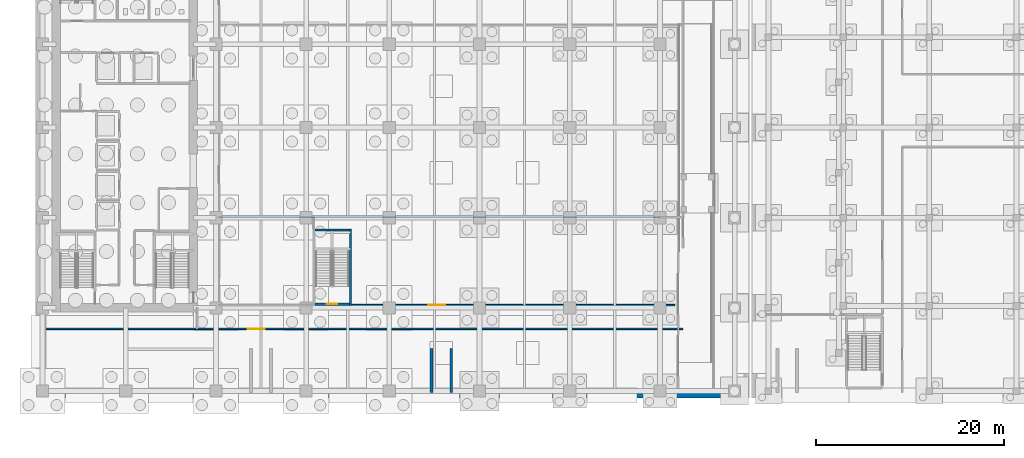
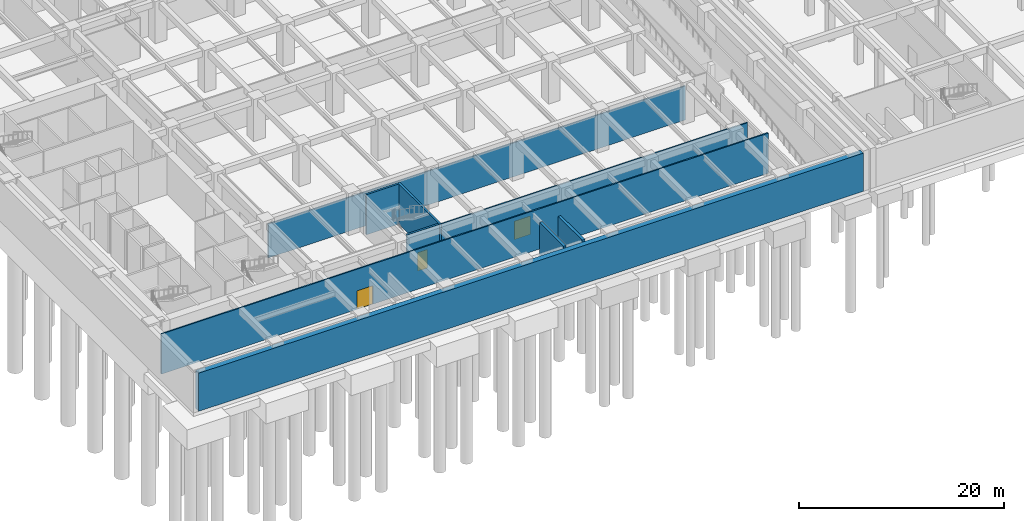
# One storey, part 10 of 20: 9 walls, 3 doors, 3 openings.
"""IFC4 building model written with IfcOpenShell, lengths in metres."""

from ifc_helpers import new_model, si_unit, direction, frame, frame_2d, origin, place, context, subcontext, project, spatial, rectangle, extrude, material, layer, layer_set, type_object, element, fill, save


model = new_model("IFC4")

# Units and contexts
model_context = context("Model", 3, precision=1e-05, world=origin(), true_north=direction((0.0, 1.0)))
body_context = subcontext(model_context, "Body", "Model", "MODEL_VIEW")
ifc_project = project(units=[si_unit("LENGTHUNIT", "METRE"), si_unit("AREAUNIT", "SQUARE_METRE"), si_unit("VOLUMEUNIT", "CUBIC_METRE"), si_unit("PLANEANGLEUNIT", "RADIAN"), si_unit("MASSUNIT", "GRAM", prefix="KILO")], contexts=[model_context])

# Site, building, storey
site_placement = place(None, origin())
site = spatial("IfcSite", under=ifc_project, at=site_placement, CompositionType="ELEMENT")
building_placement = place(site_placement, origin())
building = spatial("IfcBuilding", under=site, at=building_placement, Name="Norrvale University Quadrangle", CompositionType="ELEMENT")
storey_placement = place(building_placement, frame((0.0, 0.0, -5.0)))
storey = spatial("IfcBuildingStorey", under=building, at=storey_placement, Name="B01", CompositionType="ELEMENT", Elevation=-5.0)

# Wall, opening, door
ifc_material_1 = material(Name="Fire-Rated Gypsum Stud Partition")
ifc_layer_1 = layer(ifc_material_1, 0.14990234375, Name="Fire-Rated Gypsum Stud Partition")
ifc_layer_set_1 = layer_set([ifc_layer_1], Name="Fire-Rated Gypsum Stud Partition")
wall_type_1 = type_object("IfcWallType", Name="Wall Gypsum Corridor 150", PredefinedType="PARTITIONING", material=ifc_layer_set_1)
wall_1_placement = place(storey_placement, frame((0.60009765625, 7.360107421875, 0.0), z_axis=(0.0, 0.0, 1.0), x_axis=(1.0, 0.0, 0.0)))
wall_1 = element("IfcWall", 1, at=wall_1_placement, inside=storey, type_object=wall_type_1, Name="Interior Partition WL-B01-CHIL-N", PredefinedType="PARTITIONING", context=body_context, shape_type="SweptSolid", body=[
    extrude(rectangle(XDim=68.2998046875, YDim=0.14990234375, at=frame_2d((34.14990234375, 0.0))), origin(), (0.0, 0.0, 1.0), 4.780029296875),
])
opening_1_placement = place(wall_1_placement, frame((22.0, 0.0, 0.0)))
opening_1 = element("IfcOpeningElement", 2, at=opening_1_placement, cuts=wall_1, Name="Opening D03", PredefinedType="OPENING", context=body_context, shape_type="SweptSolid", body=[
    extrude(rectangle(XDim=1.800048828125, YDim=2.199951171875, at=frame_2d((0.89990234375, 1.10009765625))), frame((0.0, 0.0869140625, 0.0), z_axis=(0.0, -1.0, 0.0), x_axis=(1.0, 0.0, 0.0)), (0.0, 0.0, 1.0), 0.173828125),
])
ifc_material_2 = material(Name="Hollow Steel 350W Fire Door", Category="steel")
door_type_1 = type_object("IfcDoorType", Name="Door Fire Lobby 1800x2200", OperationType="DOUBLE_DOOR_SINGLE_SWING", PredefinedType="DOOR", material=ifc_material_2)
door_1_placement = place(opening_1_placement, origin())
door_1 = element("IfcDoor", 3, at=door_1_placement, inside=storey, type_object=door_type_1, Name="Door Fire Lobby 1800x2200 DR-B01-CHIL", OperationType="DOUBLE_DOOR_SINGLE_SWING", OverallHeight=2.199951171875, OverallWidth=1.800048828125, PredefinedType="DOOR", context=body_context, shape_type="SweptSolid", body=[
    extrude(rectangle(XDim=1.800048828125, YDim=2.199951171875, at=frame_2d((0.89990234375, 1.10009765625))), frame((0.0, 0.02490234375, 0.0), z_axis=(0.0, -1.0, 0.0), x_axis=(1.0, 0.0, 0.0)), (0.0, 0.0, 1.0), 0.050048828125),
])
fill(opening_1, door_1)

wall_2_placement = place(storey_placement, frame((33.6201171875, 9.89990234375, 0.0), z_axis=(0.0, 0.0, 1.0), x_axis=(1.0, 0.0, 0.0)))
wall_2 = element("IfcWall", 4, at=wall_2_placement, inside=storey, type_object=wall_type_1, Name="Interior Partition WL-B01-LD-S2", PredefinedType="PARTITIONING", context=body_context, shape_type="SweptSolid", body=[
    extrude(rectangle(XDim=34.429931640625, YDim=0.14990234375, at=frame_2d((17.21484375, 0.0))), origin(), (0.0, 0.0, 1.0), 4.780029296875),
])
opening_2_placement = place(wall_2_placement, frame((8.199951171875, 0.0, 0.0)))
opening_2 = element("IfcOpeningElement", 5, at=opening_2_placement, cuts=wall_2, Name="Opening D03", PredefinedType="OPENING", context=body_context, shape_type="SweptSolid", body=[
    extrude(rectangle(XDim=1.800048828125, YDim=2.199951171875, at=frame_2d((0.89990234375, 1.10009765625))), frame((0.0, 0.0869140625, 0.0), z_axis=(0.0, -1.0, 0.0), x_axis=(1.0, 0.0, 0.0)), (0.0, 0.0, 1.0), 0.173828125),
])
door_2_placement = place(opening_2_placement, origin())
door_2 = element("IfcDoor", 6, at=door_2_placement, inside=storey, type_object=door_type_1, Name="Door Fire Lobby 1800x2200 DR-B01-LOAD", OperationType="DOUBLE_DOOR_SINGLE_SWING", OverallHeight=2.199951171875, OverallWidth=1.800048828125, PredefinedType="DOOR", context=body_context, shape_type="SweptSolid", body=[
    extrude(rectangle(XDim=1.800048828125, YDim=2.199951171875, at=frame_2d((0.89990234375, 1.10009765625))), frame((0.0, 0.02490234375, 0.0), z_axis=(0.0, -1.0, 0.0), x_axis=(1.0, 0.0, 0.0)), (0.0, 0.0, 1.0), 0.050048828125),
])
fill(opening_2, door_2)

# Walls
wall_3_placement = place(storey_placement, frame((19.52001953125, 19.25, 0.0), z_axis=(0.0, 0.0, 1.0), x_axis=(1.0, 0.0, 0.0)))
element("IfcWall", 7, at=wall_3_placement, inside=storey, type_object=wall_type_1, Name="Interior Partition WL-B01-PK-S", PredefinedType="PARTITIONING", context=body_context, shape_type="SweptSolid", body=[
    extrude(rectangle(XDim=46.929931640625, YDim=0.14990234375, at=frame_2d((23.46484375, 0.0))), origin(), (0.0, 0.0, 1.0), 4.030029296875),
])
ifc_material_3 = material(Name="Concrete C50/60", Category="concrete")
ifc_layer_2 = layer(ifc_material_3, 0.300048828125, Name="Concrete C50/60")
ifc_layer_set_2 = layer_set([ifc_layer_2], Name="Concrete C50/60")
wall_type_2 = type_object("IfcWallType", Name="Wall Ramp Cheek 300", PredefinedType="SOLIDWALL", material=ifc_layer_set_2)
for number, where, z_axis, x_axis, name in (
    (8, (42.14990234375, 0.60009765625, 0.0), (0.0, 0.0, 1.0), (0.0, 1.0, 0.0), "Plaza Ramp Foundation Cheek Wall S2-W"),
    (9, (44.25, 0.60009765625, 0.0), (0.0, 0.0, 1.0), (0.0, 1.0, 0.0), "Plaza Ramp Foundation Cheek Wall S2-E"),
):
    element("IfcWall", number, at=place(storey_placement, frame(where, z_axis=z_axis, x_axis=x_axis)), inside=storey, type_object=wall_type_2, Name=name, PredefinedType="SOLIDWALL", context=body_context, shape_type="SweptSolid", body=[
        extrude(rectangle(XDim=4.679931640625, YDim=0.300048828125, at=frame_2d((2.33984375, 0.0))), origin(), (0.0, 0.0, 1.0), 4.780029296875),
    ])
ifc_layer_3 = layer(ifc_material_3, 0.60009765625, Name="Concrete C50/60")
ifc_layer_set_3 = layer_set([ifc_layer_3], Name="Concrete C50/60")
wall_type_3 = type_object("IfcWallType", Name="Wall Retaining 600", PredefinedType="USERDEFINED", material=ifc_layer_set_3)
wall_4_placement = place(storey_placement, frame((0.60009765625, 0.300048828125, 0.0), z_axis=(0.0, 0.0, 1.0), x_axis=(1.0, 0.0, 0.0)))
element("IfcWall", 10, at=wall_4_placement, inside=storey, type_object=wall_type_3, Name="Basement Retaining Wall T-S", ObjectType="RETAININGWALL", PredefinedType="USERDEFINED", context=body_context, shape_type="SweptSolid", body=[
    extrude(rectangle(XDim=74.7998046875, YDim=0.60009765625, at=frame_2d((37.39990234375, 0.0))), origin(), (0.0, 0.0, 1.0), 4.5400390625),
])

# Wall, opening, door
ifc_material_4 = material(Name="Concrete Blockwork 20 MPa Fire Shaft", Category="masonry")
ifc_layer_4 = layer(ifc_material_4, 0.219970703125, Name="Concrete Blockwork 20 MPa Fire Shaft")
ifc_layer_set_4 = layer_set([ifc_layer_4], Name="Concrete Blockwork 20 MPa Fire Shaft")
wall_type_4 = type_object("IfcWallType", Name="Wall Shaft 220", PredefinedType="SOLIDWALL", material=ifc_layer_set_4)
wall_5_placement = place(storey_placement, frame((29.75, 9.989990234375, 0.0), z_axis=(0.0, 0.0, 1.0), x_axis=(1.0, 0.0, 0.0)))
wall_5 = element("IfcWall", 11, at=wall_5_placement, inside=storey, type_object=wall_type_4, Name="Stair ST-04 South Shaft Wall B01", PredefinedType="SOLIDWALL", context=body_context, shape_type="SweptSolid", body=[
    extrude(rectangle(XDim=3.64990234375, YDim=0.219970703125, at=frame_2d((1.824951171875, 0.0))), origin(), (0.0, 0.0, 1.0), 4.780029296875),
])
opening_3_placement = place(wall_5_placement, frame((1.239990234375, 0.0, 0.0)))
opening_3 = element("IfcOpeningElement", 12, at=opening_3_placement, cuts=wall_5, Name="Opening D02", PredefinedType="OPENING", context=body_context, shape_type="SweptSolid", body=[
    extrude(rectangle(XDim=1.10009765625, YDim=2.199951171875, at=frame_2d((0.550048828125, 1.10009765625))), frame((0.0, 0.1220703125, 0.0), z_axis=(0.0, -1.0, 0.0), x_axis=(1.0, 0.0, 0.0)), (0.0, 0.0, 1.0), 0.243896484375),
])
door_type_2 = type_object("IfcDoorType", Name="Door Stair Exit 1100x2200", OperationType="NOTDEFINED", PredefinedType="DOOR", material=ifc_material_2)
door_3_placement = place(opening_3_placement, origin())
door_3 = element("IfcDoor", 13, at=door_3_placement, inside=storey, type_object=door_type_2, Name="Door Stair Exit 1100x2200 DR-B01-ST04", OperationType="SINGLE_SWING_LEFT", OverallHeight=2.199951171875, OverallWidth=1.10009765625, PredefinedType="DOOR", context=body_context, shape_type="SweptSolid", body=[
    extrude(rectangle(XDim=1.10009765625, YDim=2.199951171875, at=frame_2d((0.550048828125, 1.10009765625))), frame((0.0, 0.02490234375, 0.0), z_axis=(0.0, -1.0, 0.0), x_axis=(1.0, 0.0, 0.0)), (0.0, 0.0, 1.0), 0.050048828125),
])
fill(opening_3, door_3)

# Walls
wall_6_placement = place(storey_placement, frame((33.510009765625, 9.8798828125, 0.0), z_axis=(0.0, 0.0, 1.0), x_axis=(0.0, 1.0, 0.0)))
element("IfcWall", 14, at=wall_6_placement, inside=storey, type_object=wall_type_4, Name="Stair ST-04 East Shaft Wall B01", PredefinedType="SOLIDWALL", context=body_context, shape_type="SweptSolid", body=[
    extrude(rectangle(XDim=8.14013671875, YDim=0.219970703125, at=frame_2d((4.070068359375, 0.0))), origin(), (0.0, 0.0, 1.0), 4.780029296875),
])
wall_7_placement = place(storey_placement, frame((29.75, 17.909912109375, 0.0), z_axis=(0.0, 0.0, 1.0), x_axis=(1.0, 0.0, 0.0)))
element("IfcWall", 15, at=wall_7_placement, inside=storey, type_object=wall_type_4, Name="Stair ST-04 North Shaft Wall B01", PredefinedType="SOLIDWALL", context=body_context, shape_type="SweptSolid", body=[
    extrude(rectangle(XDim=3.64990234375, YDim=0.219970703125, at=frame_2d((1.824951171875, 0.0))), origin(), (0.0, 0.0, 1.0), 4.780029296875),
])

save(model, "model.ifc")
